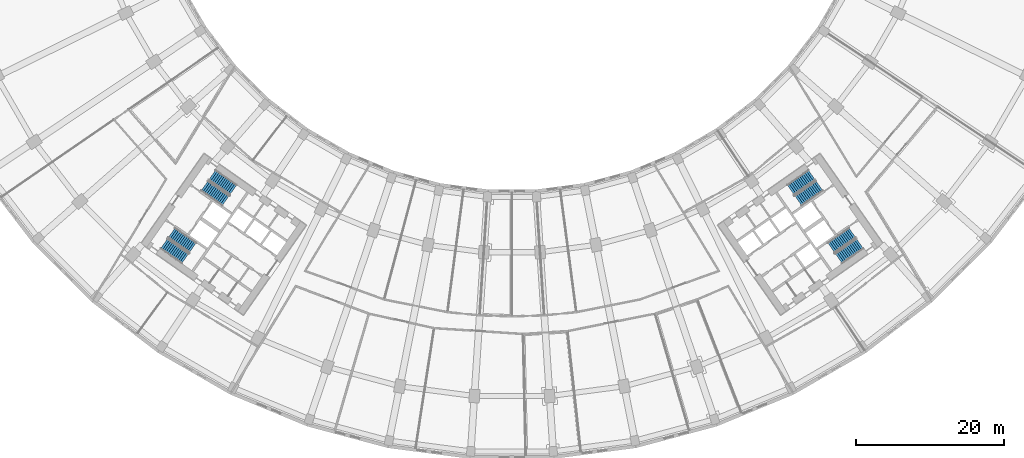
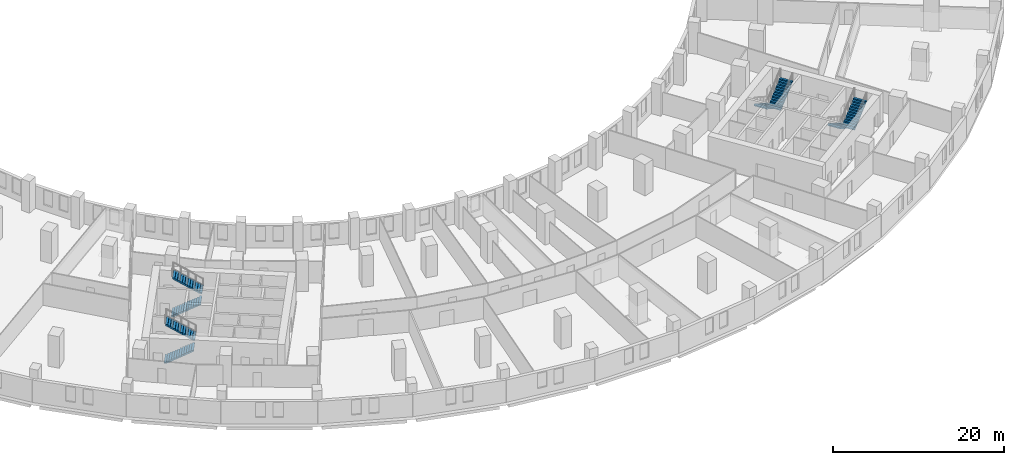
# One storey, part 15 of 19: 8 stair flights, 4 elements without a shape of their own.
"""IFC4 building model written with IfcOpenShell, lengths in metres."""

from ifc_helpers import new_model, si_unit, direction, frame, origin, place, context, subcontext, project, spatial, polyline, outline, extrude, material, type_object, element, aggregate, save


model = new_model("IFC4")

# Units and contexts
model_context = context("Model", 3, precision=1e-05, world=origin(), true_north=direction((0.0, 1.0)))
body_context = subcontext(model_context, "Body", "Model", "MODEL_VIEW")
ifc_project = project(units=[si_unit("LENGTHUNIT", "METRE"), si_unit("AREAUNIT", "SQUARE_METRE"), si_unit("VOLUMEUNIT", "CUBIC_METRE"), si_unit("PLANEANGLEUNIT", "RADIAN"), si_unit("MASSUNIT", "GRAM", prefix="KILO")], contexts=[model_context])

# Site, building, storey
site_placement = place(None, origin())
site = spatial("IfcSite", under=ifc_project, at=site_placement, CompositionType="ELEMENT")
building_placement = place(site_placement, origin())
building = spatial("IfcBuilding", under=site, at=building_placement, Name="Qamariyya Broadcast Tower", CompositionType="ELEMENT")
storey_placement = place(building_placement, frame((0.0, 0.0, 36.0)))
storey = spatial("IfcBuildingStorey", under=building, at=storey_placement, Name="L05", CompositionType="ELEMENT", Elevation=36.0)

# Stair, stair flights
ifc_material = material(Name="Concrete C50/60", Category="concrete")
stair_type = type_object("IfcStairType", Name="Exit stair 26 risers of 173 mm", PredefinedType="HALF_TURN_STAIR", material=ifc_material)
stair_1_placement = place(storey_placement, origin())
stair_1 = element("IfcStair", 1, at=stair_1_placement, inside=storey, type_object=stair_type, Name="L05 Stair W2", PredefinedType="HALF_TURN_STAIR")
stair_flight_type = type_object("IfcStairFlightType", Name="Exit stair flight 13 risers of 173 mm", PredefinedType="STRAIGHT", material=ifc_material)
stair_flight_1_placement = place(storey_placement, frame((-41.59130859375, -49.15966796875, 0.0), z_axis=(0.0, 0.0, 1.0), x_axis=(0.819152044289, -0.573576436351, 0.0)))
stair_flight_1 = element("IfcStairFlight", 2, at=stair_flight_1_placement, type_object=stair_flight_type, Name="ST-W2 flight 1", NumberOfRisers=13, NumberOfTreads=12, PredefinedType="STRAIGHT", RiserHeight=0.173076923, TreadLength=0.29, context=body_context, shape_type="SweptSolid", body=[
    extrude(outline(polyline([(0.0, 0.0), (0.0, 0.173095703125), (0.2900390625, 0.173095703125), (0.2900390625, 0.34619140625), (0.580078125, 0.34619140625), (0.580078125, 0.519287109375), (0.8701171875, 0.519287109375), (0.8701171875, 0.6923828125), (1.159912109375, 0.6923828125), (1.159912109375, 0.865478515625), (1.449951171875, 0.865478515625), (1.449951171875, 1.03857421875), (1.739990234375, 1.03857421875), (1.739990234375, 1.21142578125), (2.030029296875, 1.21142578125), (2.030029296875, 1.384521484375), (2.320068359375, 1.384521484375), (2.320068359375, 1.5576171875), (2.610107421875, 1.5576171875), (2.610107421875, 1.730712890625), (2.89990234375, 1.730712890625), (2.89990234375, 1.90380859375), (3.18994140625, 1.90380859375), (3.18994140625, 2.076904296875), (3.47998046875, 2.076904296875), (3.47998046875, 2.25), (3.47998046875, 1.90234375), (0.29248046875, 0.0), (0.0, 0.0)])), frame((0.0, 0.824951171875, 0.0), z_axis=(0.0, -1.0, 0.0), x_axis=(1.0, 0.0, 0.0)), (0.0, 0.0, 1.0), 1.64990234375),
])
stair_flight_2_placement = place(storey_placement, frame((-37.7080078125, -49.681396484375, 2.25), z_axis=(0.0, 0.0, 1.0), x_axis=(-0.819152044289, 0.573576436351, 0.0)))
stair_flight_2 = element("IfcStairFlight", 3, at=stair_flight_2_placement, type_object=stair_flight_type, Name="ST-W2 flight 2", NumberOfRisers=13, NumberOfTreads=12, PredefinedType="STRAIGHT", RiserHeight=0.173076923, TreadLength=0.29, context=body_context, shape_type="SweptSolid", body=[
    extrude(outline(polyline([(0.0, 0.0), (0.0, 0.173095703125), (0.2900390625, 0.173095703125), (0.2900390625, 0.34619140625), (0.580078125, 0.34619140625), (0.580078125, 0.519287109375), (0.8701171875, 0.519287109375), (0.8701171875, 0.6923828125), (1.159912109375, 0.6923828125), (1.159912109375, 0.865478515625), (1.449951171875, 0.865478515625), (1.449951171875, 1.03857421875), (1.739990234375, 1.03857421875), (1.739990234375, 1.21142578125), (2.030029296875, 1.21142578125), (2.030029296875, 1.384521484375), (2.320068359375, 1.384521484375), (2.320068359375, 1.5576171875), (2.610107421875, 1.5576171875), (2.610107421875, 1.730712890625), (2.89990234375, 1.730712890625), (2.89990234375, 1.90380859375), (3.18994140625, 1.90380859375), (3.18994140625, 2.076904296875), (3.47998046875, 2.076904296875), (3.47998046875, 2.25), (3.47998046875, 1.90234375), (0.29248046875, 0.0), (0.0, 0.0)])), frame((0.0, 0.824951171875, 0.0), z_axis=(0.0, -1.0, 0.0), x_axis=(1.0, 0.0, 0.0)), (0.0, 0.0, 1.0), 1.64990234375),
])
aggregate(stair_1, [stair_flight_1, stair_flight_2])

stair_2_placement = place(storey_placement, origin())
stair_2 = element("IfcStair", 4, at=stair_2_placement, inside=storey, type_object=stair_type, Name="L05 Stair W1", PredefinedType="HALF_TURN_STAIR")
stair_flight_3_placement = place(storey_placement, frame((-47.06884765625, -56.982666015625, 0.0), z_axis=(0.0, 0.0, 1.0), x_axis=(0.819152044289, -0.573576436351, 0.0)))
stair_flight_3 = element("IfcStairFlight", 5, at=stair_flight_3_placement, type_object=stair_flight_type, Name="ST-W1 flight 1", NumberOfRisers=13, NumberOfTreads=12, PredefinedType="STRAIGHT", RiserHeight=0.173076923, TreadLength=0.29, context=body_context, shape_type="SweptSolid", body=[
    extrude(outline(polyline([(0.0, 0.0), (0.0, 0.173095703125), (0.2900390625, 0.173095703125), (0.2900390625, 0.34619140625), (0.580078125, 0.34619140625), (0.580078125, 0.519287109375), (0.8701171875, 0.519287109375), (0.8701171875, 0.6923828125), (1.159912109375, 0.6923828125), (1.159912109375, 0.865478515625), (1.449951171875, 0.865478515625), (1.449951171875, 1.03857421875), (1.739990234375, 1.03857421875), (1.739990234375, 1.21142578125), (2.030029296875, 1.21142578125), (2.030029296875, 1.384521484375), (2.320068359375, 1.384521484375), (2.320068359375, 1.5576171875), (2.610107421875, 1.5576171875), (2.610107421875, 1.730712890625), (2.89990234375, 1.730712890625), (2.89990234375, 1.90380859375), (3.18994140625, 1.90380859375), (3.18994140625, 2.076904296875), (3.47998046875, 2.076904296875), (3.47998046875, 2.25), (3.47998046875, 1.90234375), (0.29248046875, 0.0), (0.0, 0.0)])), frame((0.0, 0.824951171875, 0.0), z_axis=(0.0, -1.0, 0.0), x_axis=(1.0, 0.0, 0.0)), (0.0, 0.0, 1.0), 1.64990234375),
])
stair_flight_4_placement = place(storey_placement, frame((-43.185791015625, -57.504150390625, 2.25), z_axis=(0.0, 0.0, 1.0), x_axis=(-0.819152044289, 0.573576436351, 0.0)))
stair_flight_4 = element("IfcStairFlight", 6, at=stair_flight_4_placement, type_object=stair_flight_type, Name="ST-W1 flight 2", NumberOfRisers=13, NumberOfTreads=12, PredefinedType="STRAIGHT", RiserHeight=0.173076923, TreadLength=0.29, context=body_context, shape_type="SweptSolid", body=[
    extrude(outline(polyline([(0.0, 0.0), (0.0, 0.173095703125), (0.2900390625, 0.173095703125), (0.2900390625, 0.34619140625), (0.580078125, 0.34619140625), (0.580078125, 0.519287109375), (0.8701171875, 0.519287109375), (0.8701171875, 0.6923828125), (1.159912109375, 0.6923828125), (1.159912109375, 0.865478515625), (1.449951171875, 0.865478515625), (1.449951171875, 1.03857421875), (1.739990234375, 1.03857421875), (1.739990234375, 1.21142578125), (2.030029296875, 1.21142578125), (2.030029296875, 1.384521484375), (2.320068359375, 1.384521484375), (2.320068359375, 1.5576171875), (2.610107421875, 1.5576171875), (2.610107421875, 1.730712890625), (2.89990234375, 1.730712890625), (2.89990234375, 1.90380859375), (3.18994140625, 1.90380859375), (3.18994140625, 2.076904296875), (3.47998046875, 2.076904296875), (3.47998046875, 2.25), (3.47998046875, 1.90234375), (0.29248046875, 0.0), (0.0, 0.0)])), frame((0.0, 0.824951171875, 0.0), z_axis=(0.0, -1.0, 0.0), x_axis=(1.0, 0.0, 0.0)), (0.0, 0.0, 1.0), 1.64990234375),
])
aggregate(stair_2, [stair_flight_3, stair_flight_4])

stair_3_placement = place(storey_placement, origin())
stair_3 = element("IfcStair", 7, at=stair_3_placement, inside=storey, type_object=stair_type, Name="L05 Stair E2", PredefinedType="HALF_TURN_STAIR")
stair_flight_5_placement = place(storey_placement, frame((40.558837890625, -47.685302734375, 0.0), z_axis=(0.0, 0.0, 1.0), x_axis=(-0.819152044289, -0.573576436351, 0.0)))
stair_flight_5 = element("IfcStairFlight", 8, at=stair_flight_5_placement, type_object=stair_flight_type, Name="ST-E2 flight 1", NumberOfRisers=13, NumberOfTreads=12, PredefinedType="STRAIGHT", RiserHeight=0.173076923, TreadLength=0.29, context=body_context, shape_type="SweptSolid", body=[
    extrude(outline(polyline([(0.0, 0.0), (0.0, 0.173095703125), (0.2900390625, 0.173095703125), (0.2900390625, 0.34619140625), (0.580078125, 0.34619140625), (0.580078125, 0.519287109375), (0.8701171875, 0.519287109375), (0.8701171875, 0.6923828125), (1.159912109375, 0.6923828125), (1.159912109375, 0.865478515625), (1.449951171875, 0.865478515625), (1.449951171875, 1.03857421875), (1.739990234375, 1.03857421875), (1.739990234375, 1.21142578125), (2.030029296875, 1.21142578125), (2.030029296875, 1.384521484375), (2.320068359375, 1.384521484375), (2.320068359375, 1.5576171875), (2.610107421875, 1.5576171875), (2.610107421875, 1.730712890625), (2.89990234375, 1.730712890625), (2.89990234375, 1.90380859375), (3.18994140625, 1.90380859375), (3.18994140625, 2.076904296875), (3.47998046875, 2.076904296875), (3.47998046875, 2.25), (3.47998046875, 1.90234375), (0.29248046875, 0.0), (0.0, 0.0)])), frame((0.0, 0.824951171875, 0.0), z_axis=(0.0, -1.0, 0.0), x_axis=(1.0, 0.0, 0.0)), (0.0, 0.0, 1.0), 1.64990234375),
])
stair_flight_6_placement = place(storey_placement, frame((38.740478515625, -51.15576171875, 2.25), z_axis=(0.0, 0.0, 1.0), x_axis=(0.819152044289, 0.573576436351, 0.0)))
stair_flight_6 = element("IfcStairFlight", 9, at=stair_flight_6_placement, type_object=stair_flight_type, Name="ST-E2 flight 2", NumberOfRisers=13, NumberOfTreads=12, PredefinedType="STRAIGHT", RiserHeight=0.173076923, TreadLength=0.29, context=body_context, shape_type="SweptSolid", body=[
    extrude(outline(polyline([(0.0, 0.0), (0.0, 0.173095703125), (0.2900390625, 0.173095703125), (0.2900390625, 0.34619140625), (0.580078125, 0.34619140625), (0.580078125, 0.519287109375), (0.8701171875, 0.519287109375), (0.8701171875, 0.6923828125), (1.159912109375, 0.6923828125), (1.159912109375, 0.865478515625), (1.449951171875, 0.865478515625), (1.449951171875, 1.03857421875), (1.739990234375, 1.03857421875), (1.739990234375, 1.21142578125), (2.030029296875, 1.21142578125), (2.030029296875, 1.384521484375), (2.320068359375, 1.384521484375), (2.320068359375, 1.5576171875), (2.610107421875, 1.5576171875), (2.610107421875, 1.730712890625), (2.89990234375, 1.730712890625), (2.89990234375, 1.90380859375), (3.18994140625, 1.90380859375), (3.18994140625, 2.076904296875), (3.47998046875, 2.076904296875), (3.47998046875, 2.25), (3.47998046875, 1.90234375), (0.29248046875, 0.0), (0.0, 0.0)])), frame((0.0, 0.824951171875, 0.0), z_axis=(0.0, -1.0, 0.0), x_axis=(1.0, 0.0, 0.0)), (0.0, 0.0, 1.0), 1.64990234375),
])
aggregate(stair_3, [stair_flight_5, stair_flight_6])

stair_4_placement = place(storey_placement, origin())
stair_4 = element("IfcStair", 10, at=stair_4_placement, inside=storey, type_object=stair_type, Name="L05 Stair E1", PredefinedType="HALF_TURN_STAIR")
stair_flight_7_placement = place(storey_placement, frame((46.036376953125, -55.508056640625, 0.0), z_axis=(0.0, 0.0, 1.0), x_axis=(-0.819152044289, -0.573576436351, 0.0)))
stair_flight_7 = element("IfcStairFlight", 11, at=stair_flight_7_placement, type_object=stair_flight_type, Name="ST-E1 flight 1", NumberOfRisers=13, NumberOfTreads=12, PredefinedType="STRAIGHT", RiserHeight=0.173076923, TreadLength=0.29, context=body_context, shape_type="SweptSolid", body=[
    extrude(outline(polyline([(0.0, 0.0), (0.0, 0.173095703125), (0.2900390625, 0.173095703125), (0.2900390625, 0.34619140625), (0.580078125, 0.34619140625), (0.580078125, 0.519287109375), (0.8701171875, 0.519287109375), (0.8701171875, 0.6923828125), (1.159912109375, 0.6923828125), (1.159912109375, 0.865478515625), (1.449951171875, 0.865478515625), (1.449951171875, 1.03857421875), (1.739990234375, 1.03857421875), (1.739990234375, 1.21142578125), (2.030029296875, 1.21142578125), (2.030029296875, 1.384521484375), (2.320068359375, 1.384521484375), (2.320068359375, 1.5576171875), (2.610107421875, 1.5576171875), (2.610107421875, 1.730712890625), (2.89990234375, 1.730712890625), (2.89990234375, 1.90380859375), (3.18994140625, 1.90380859375), (3.18994140625, 2.076904296875), (3.47998046875, 2.076904296875), (3.47998046875, 2.25), (3.47998046875, 1.90234375), (0.29248046875, 0.0), (0.0, 0.0)])), frame((0.0, 0.824951171875, 0.0), z_axis=(0.0, -1.0, 0.0), x_axis=(1.0, 0.0, 0.0)), (0.0, 0.0, 1.0), 1.64990234375),
])
stair_flight_8_placement = place(storey_placement, frame((44.21826171875, -58.978759765625, 2.25), z_axis=(0.0, 0.0, 1.0), x_axis=(0.819152044289, 0.573576436351, 0.0)))
stair_flight_8 = element("IfcStairFlight", 12, at=stair_flight_8_placement, type_object=stair_flight_type, Name="ST-E1 flight 2", NumberOfRisers=13, NumberOfTreads=12, PredefinedType="STRAIGHT", RiserHeight=0.173076923, TreadLength=0.29, context=body_context, shape_type="SweptSolid", body=[
    extrude(outline(polyline([(0.0, 0.0), (0.0, 0.173095703125), (0.2900390625, 0.173095703125), (0.2900390625, 0.34619140625), (0.580078125, 0.34619140625), (0.580078125, 0.519287109375), (0.8701171875, 0.519287109375), (0.8701171875, 0.6923828125), (1.159912109375, 0.6923828125), (1.159912109375, 0.865478515625), (1.449951171875, 0.865478515625), (1.449951171875, 1.03857421875), (1.739990234375, 1.03857421875), (1.739990234375, 1.21142578125), (2.030029296875, 1.21142578125), (2.030029296875, 1.384521484375), (2.320068359375, 1.384521484375), (2.320068359375, 1.5576171875), (2.610107421875, 1.5576171875), (2.610107421875, 1.730712890625), (2.89990234375, 1.730712890625), (2.89990234375, 1.90380859375), (3.18994140625, 1.90380859375), (3.18994140625, 2.076904296875), (3.47998046875, 2.076904296875), (3.47998046875, 2.25), (3.47998046875, 1.90234375), (0.29248046875, 0.0), (0.0, 0.0)])), frame((0.0, 0.824951171875, 0.0), z_axis=(0.0, -1.0, 0.0), x_axis=(1.0, 0.0, 0.0)), (0.0, 0.0, 1.0), 1.64990234375),
])
aggregate(stair_4, [stair_flight_7, stair_flight_8])

save(model, "model.ifc")
